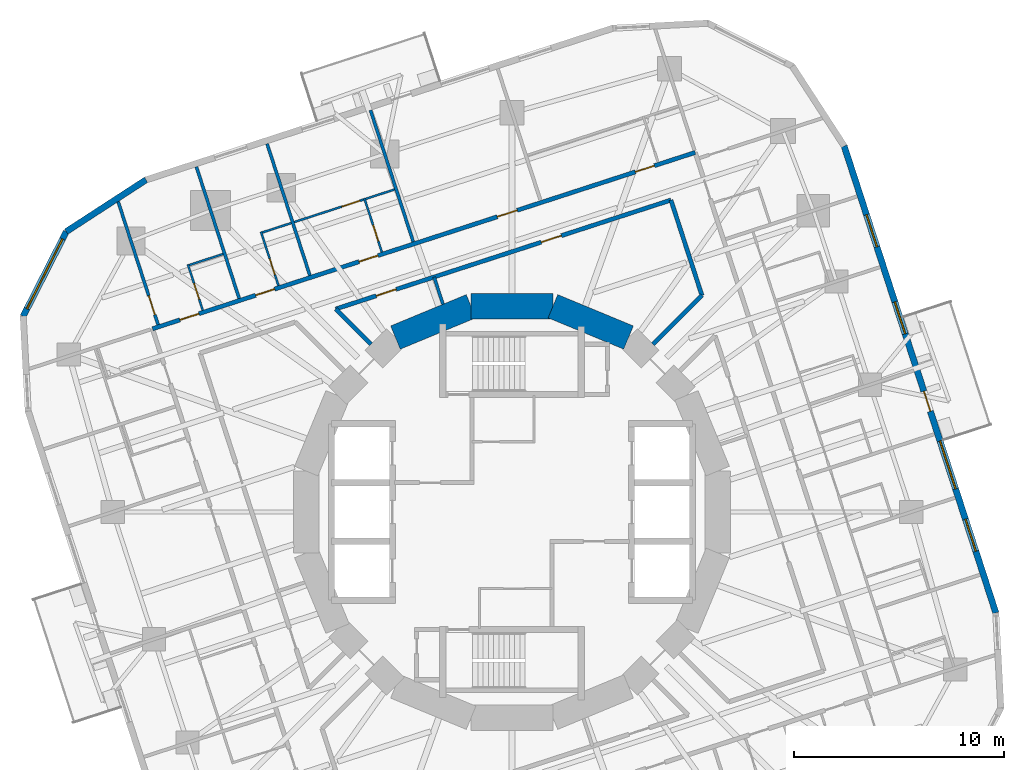
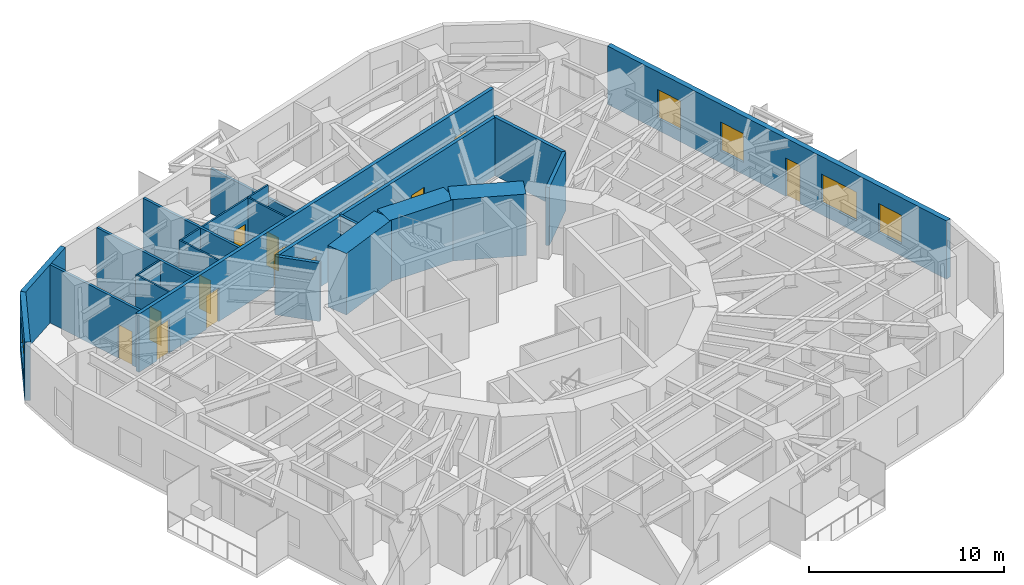
# One storey, part 9 of 12: 23 walls, 13 doors, 5 windows, 18 openings.
"""IFC4 building model written with IfcOpenShell, lengths in metres."""

import ifcopenshell
import ifcopenshell.guid

model = None  # the IFC model being written
_history = None  # IfcOwnerHistory: only IFC2X3 demands one
_inside = {}  # id of a spatial element -> (the spatial element, [elements in it])
_under = {}  # id of a project, library or spatial element -> (it, [spatial elements below it])
_declared = {}  # id of a project -> (the project, [libraries it declares])
_typed = {}  # id of a type object -> (the type object, [elements of that type])
_made_of = {}  # id of a material, layer set ... -> (it, [elements and type objects made of it])


def new_model(schema):
    """Start an empty IFC model of exactly this schema.

    Asked for "IFC4X3", IfcOpenShell would pick the latest addendum, in which some entities
    have other attributes; the version numbers below select the first issue.
    IFC2X3 requires an IfcOwnerHistory on every rooted entity: one is made here for all.
    """
    global model, _history
    if schema == "IFC4X3":
        model = ifcopenshell.file(schema_version=(4, 3, 0, 0))
    else:
        model = ifcopenshell.file(schema=schema)
    _inside.clear()
    _under.clear()
    _declared.clear()
    _typed.clear()
    _made_of.clear()
    _history = None
    if model.schema == "IFC2X3":
        org = make("IfcOrganization", Name="unknown")
        user = make(
            "IfcPersonAndOrganization",
            ThePerson=make("IfcPerson", FamilyName="unknown"),
            TheOrganization=org,
        )
        app = make(
            "IfcApplication",
            ApplicationDeveloper=org,
            Version="unknown",
            ApplicationFullName="unknown",
            ApplicationIdentifier="unknown",
        )
        _history = make(
            "IfcOwnerHistory",
            OwningUser=user,
            OwningApplication=app,
            ChangeAction="ADDED",
            CreationDate=0,
        )
    return model


def make(cls, **values):
    """One entity of the class cls with the attributes given. An attribute that is None is left unset."""
    return model.create_entity(
        cls, **{name: value for name, value in values.items() if value is not None}
    )


def rooted(cls, **values):
    """An entity with a GlobalId (a new one), such as an element, a storey or a relation."""
    return make(cls, GlobalId=ifcopenshell.guid.new(), OwnerHistory=_history, **values)


def si_unit(unit_type, name, prefix=None):
    """IfcSIUnit, for example si_unit("LENGTHUNIT", "METRE", prefix="MILLI")."""
    return make("IfcSIUnit", UnitType=unit_type, Prefix=prefix, Name=name)


def assignment(units):
    """IfcUnitAssignment: the units of a project."""
    return None if units is None else make("IfcUnitAssignment", Units=units)


def point(xyz):
    """IfcCartesianPoint."""
    return None if xyz is None else make("IfcCartesianPoint", Coordinates=xyz)


def direction(xyz):
    """IfcDirection."""
    return None if xyz is None else make("IfcDirection", DirectionRatios=xyz)


def frame(location, z_axis=None, x_axis=None):
    """IfcAxis2Placement3D, a coordinate frame: its origin and axes. An axis left out is left unset."""
    return make(
        "IfcAxis2Placement3D",
        Location=point(location),
        Axis=direction(z_axis),
        RefDirection=direction(x_axis),
    )


def frame_2d(location, x_axis=None):
    """IfcAxis2Placement2D, a coordinate frame in the plane: its origin and x axis."""
    return make(
        "IfcAxis2Placement2D", Location=point(location), RefDirection=direction(x_axis)
    )


def origin():
    """The frame at (0, 0, 0) with its axes left unset."""
    return frame((0.0, 0.0, 0.0))


def place(relative_to, where):
    """IfcLocalPlacement: puts the frame where relative to a parent placement (None: the world)."""
    return make(
        "IfcLocalPlacement", PlacementRelTo=relative_to, RelativePlacement=where
    )


def context(
    kind, dimensions, precision=None, world=None, true_north=None, identifier=None
):
    """IfcGeometricRepresentationContext, for example the 3D "Model" context."""
    return make(
        "IfcGeometricRepresentationContext",
        ContextIdentifier=identifier,
        ContextType=kind,
        CoordinateSpaceDimension=dimensions,
        Precision=precision,
        WorldCoordinateSystem=world,
        TrueNorth=true_north,
    )


def subcontext(parent, identifier, kind, view, scale=None):
    """IfcGeometricRepresentationSubContext, for example "Body" below "Model"."""
    return make(
        "IfcGeometricRepresentationSubContext",
        ContextIdentifier=identifier,
        ContextType=kind,
        ParentContext=parent,
        TargetScale=scale,
        TargetView=view,
    )


def project(units=None, contexts=None):
    """IfcProject with its units and contexts."""
    return rooted(
        "IfcProject",
        Name="project",
        RepresentationContexts=contexts,
        UnitsInContext=assignment(units),
    )


def spatial(cls, under=None, at=None, **own):
    """A site, building, storey or space (cls), placed at a placement, below another one or the project."""
    s = rooted(cls, ObjectPlacement=at, **own)
    if under is not None:
        _under.setdefault(under.id(), (under, []))[1].append(s)
    return s


def profile(cls, at=None, kind="AREA", **sizes):
    """A parametric profile (cls). Its sizes go by their IFC names, for example OverallWidth=200.0."""
    return make(cls, ProfileType=kind, Position=at, **sizes)


def rectangle(**sizes):
    """IfcRectangleProfileDef."""
    return profile("IfcRectangleProfileDef", **sizes)


def extrude(swept, where, along, depth):
    """IfcExtrudedAreaSolid: the profile swept, set in the frame where, extruded along a direction by depth."""
    return make(
        "IfcExtrudedAreaSolid",
        SweptArea=swept,
        Position=where,
        ExtrudedDirection=direction(along),
        Depth=depth,
    )


def shape(context_of_items, identifier, shape_type, items):
    """IfcShapeRepresentation: the items that make up one representation, for example the "Body"."""
    return make(
        "IfcShapeRepresentation",
        ContextOfItems=context_of_items,
        RepresentationIdentifier=identifier,
        RepresentationType=shape_type,
        Items=items,
    )


def material(Name=None, Category=None):
    """IfcMaterial."""
    return make("IfcMaterial", Name=Name, Category=Category)


def layer(
    of_material, thickness, ventilated=None, Name=None, Category=None, Priority=None
):
    """IfcMaterialLayer: one layer of a wall or slab, of a material (None: an air gap)."""
    return make(
        "IfcMaterialLayer",
        Material=of_material,
        LayerThickness=thickness,
        IsVentilated=ventilated,
        Name=Name,
        Category=Category,
        Priority=Priority,
    )


def layer_set(layers, Name=None):
    """IfcMaterialLayerSet."""
    return make("IfcMaterialLayerSet", MaterialLayers=layers, LayerSetName=Name)


def made_of(thing, what):
    """Note that an element or type object is made of a material, layer set ...; save() writes the relation."""
    if what is not None:
        _made_of.setdefault(what.id(), (what, []))[1].append(thing)
    return thing


def type_object(cls, material=None, **own):
    """A type object (cls), such as IfcWallType, which elements share."""
    return made_of(rooted(cls, **own), material)


def element(
    cls,
    number,
    at=None,
    inside=None,
    cuts=None,
    type_object=None,
    material=None,
    context=None,
    identifier="Body",
    shape_type=None,
    held_by="IfcProductDefinitionShape",
    body=None,
    shapes=None,
    **own,
):
    """One element of the class cls, such as IfcWall. Its Tag is "e" and its number.

    at: its placement. inside: the storey or other place that contains it. cuts: it is an
    opening in that element (IfcRelVoidsElement). A single representation is given by context,
    identifier, shape_type and body (its items); several are given by shapes. held_by: the class
    of the entity that holds the representations. save() writes the other relations.
    """
    e = rooted(cls, Tag="e%d" % number, ObjectPlacement=at, **own)
    if body is not None:
        shapes = [shape(context, identifier, shape_type, body)]
    if shapes is not None:
        e.Representation = make(held_by, Representations=shapes)
    if inside is not None:
        _inside.setdefault(inside.id(), (inside, []))[1].append(e)
    if cuts is not None:
        rooted(
            "IfcRelVoidsElement", RelatingBuildingElement=cuts, RelatedOpeningElement=e
        )
    if type_object is not None:
        _typed.setdefault(type_object.id(), (type_object, []))[1].append(e)
    return made_of(e, material)


def fill(opening, filler):
    """IfcRelFillsElement: the door or window that sits in an opening."""
    return rooted(
        "IfcRelFillsElement",
        RelatingOpeningElement=opening,
        RelatedBuildingElement=filler,
    )


def aggregate(whole, parts):
    """IfcRelAggregates: a whole, such as a stair, and the parts it consists of."""
    return rooted("IfcRelAggregates", RelatingObject=whole, RelatedObjects=parts)


def save(model, path):
    """Write the relations noted so far, then the file.

    IfcRelAggregates (storeys below a building ...), IfcRelContainedInSpatialStructure (elements
    in a storey), IfcRelDefinesByType, IfcRelAssociatesMaterial and IfcRelDeclares: one each for
    every whole, place, type object, material and project.
    """
    for whole, parts in _under.values():
        aggregate(whole, parts)
    for where, things in _inside.values():
        rooted(
            "IfcRelContainedInSpatialStructure",
            RelatedElements=things,
            RelatingStructure=where,
        )
    for kind, things in _typed.values():
        rooted("IfcRelDefinesByType", RelatedObjects=things, RelatingType=kind)
    for what, things in _made_of.values():
        rooted("IfcRelAssociatesMaterial", RelatedObjects=things, RelatingMaterial=what)
    for by, libraries in _declared.values():
        rooted("IfcRelDeclares", RelatingContext=by, RelatedDefinitions=libraries)
    model.write(path)


model = new_model("IFC4")

# Units and contexts
model_context = context("Model", 3, precision=1e-05, world=origin(), true_north=direction((0.0, 1.0)))
body_context = subcontext(model_context, "Body", "Model", "MODEL_VIEW")
ifc_project = project(units=[si_unit("LENGTHUNIT", "METRE"), si_unit("AREAUNIT", "SQUARE_METRE"), si_unit("VOLUMEUNIT", "CUBIC_METRE"), si_unit("PLANEANGLEUNIT", "RADIAN"), si_unit("MASSUNIT", "GRAM", prefix="KILO")], contexts=[model_context])

# Site, building, storey
site_placement = place(None, origin())
site = spatial("IfcSite", under=ifc_project, at=site_placement, CompositionType="ELEMENT")
building_placement = place(site_placement, origin())
building = spatial("IfcBuilding", under=site, at=building_placement, Name="Nakasero Lantern House", CompositionType="ELEMENT")
storey_placement = place(building_placement, frame((0.0, 0.0, 153.35009765625)))
storey = spatial("IfcBuildingStorey", under=building, at=storey_placement, Name="L37", CompositionType="ELEMENT", Elevation=153.35009765625)

# Walls
ifc_material_1 = material(Name="Concrete C50/60", Category="concrete")
ifc_layer_1 = layer(ifc_material_1, 1.199951171875)
ifc_layer_set_1 = layer_set([ifc_layer_1], Name="Core wall 1200")
wall_type_1 = type_object("IfcWallType", Name="Core wall 1200", PredefinedType="SHEAR", material=ifc_layer_set_1)
for number, where, z_axis, x_axis, name in (
    (1, (5.5556640625, 8.314697265625, 0.0), (0.0, 0.0, 1.0), (-0.923876507187, 0.382690736062, 0.0), "Core wall L37 facet 3"),
    (2, (1.950927734375, 9.807861328125, 0.0), (0.0, 0.0, 1.0), (-1.0, 0.0, 0.0), "Core wall L37 facet 4"),
    (3, (-1.950927734375, 9.807861328125, 0.0), (0.0, 0.0, 1.0), (-0.923876507187, -0.382690736062, 0.0), "Core wall L37 facet 5"),
):
    element("IfcWall", number, at=place(storey_placement, frame(where, z_axis=z_axis, x_axis=x_axis)), inside=storey, type_object=wall_type_1, Name=name, PredefinedType="SHEAR", context=body_context, shape_type="SweptSolid", body=[
        extrude(rectangle(XDim=3.90185546875, YDim=1.199951171875, at=frame_2d((1.950927734375, 0.0))), origin(), (0.0, 0.0, 1.0), 3.849853515625),
    ])

# Wall, openings, doors
ifc_material_2 = material(Name="Blockwork", Category="masonry")
ifc_layer_2 = layer(ifc_material_2, 0.199951171875)
ifc_layer_set_2 = layer_set([ifc_layer_2], Name="Corridor wall 200")
wall_type_2 = type_object("IfcWallType", Name="Corridor wall 200", PredefinedType="PARTITIONING", material=ifc_layer_set_2)
wall_1_placement = place(storey_placement, frame((8.731689453125, 17.136962890625, 0.0), z_axis=(0.0, 0.0, 1.0), x_axis=(-0.951056097323, -0.309018283835, 0.0)))
wall_1 = element("IfcWall", 4, at=wall_1_placement, inside=storey, type_object=wall_type_2, Name="Corridor wall L37 CW1", PredefinedType="PARTITIONING", context=body_context, shape_type="SweptSolid", body=[
    extrude(rectangle(XDim=27.199951171875, YDim=0.199951171875, at=frame_2d((13.60009765625, 0.0))), origin(), (0.0, 0.0, 1.0), 3.64990234375),
])
opening_1_placement = place(wall_1_placement, frame((2.050048828125, 0.0, 0.0)))
opening_1 = element("IfcOpeningElement", 5, at=opening_1_placement, cuts=wall_1, Name="Opening D01", PredefinedType="OPENING", context=body_context, shape_type="SweptSolid", body=[
    extrude(rectangle(XDim=0.949951171875, YDim=2.10009765625, at=frame_2d((0.47509765625, 1.050048828125))), frame((0.0, 0.119873046875, 0.0), z_axis=(0.0, -1.0, 0.0), x_axis=(1.0, 0.0, 0.0)), (0.0, 0.0, 1.0), 0.239990234375),
])
opening_2_placement = place(wall_1_placement, frame((15.89697265625, 0.0, 0.0)))
opening_2 = element("IfcOpeningElement", 6, at=opening_2_placement, cuts=wall_1, Name="Opening D01", PredefinedType="OPENING", context=body_context, shape_type="SweptSolid", body=[
    extrude(rectangle(XDim=0.949951171875, YDim=2.10009765625, at=frame_2d((0.47509765625, 1.050048828125))), frame((0.0, 0.119873046875, 0.0), z_axis=(0.0, -1.0, 0.0), x_axis=(1.0, 0.0, 0.0)), (0.0, 0.0, 1.0), 0.239990234375),
])
opening_3_placement = place(wall_1_placement, frame((21.078125, 0.0, 0.0)))
opening_3 = element("IfcOpeningElement", 7, at=opening_3_placement, cuts=wall_1, Name="Opening D01", PredefinedType="OPENING", context=body_context, shape_type="SweptSolid", body=[
    extrude(rectangle(XDim=0.949951171875, YDim=2.10009765625, at=frame_2d((0.47509765625, 1.050048828125))), frame((0.0, 0.119873046875, 0.0), z_axis=(0.0, -1.0, 0.0), x_axis=(1.0, 0.0, 0.0)), (0.0, 0.0, 1.0), 0.239990234375),
])
opening_4_placement = place(wall_1_placement, frame((24.872314453125, 0.0, 0.0)))
opening_4 = element("IfcOpeningElement", 8, at=opening_4_placement, cuts=wall_1, Name="Opening D01", PredefinedType="OPENING", context=body_context, shape_type="SweptSolid", body=[
    extrude(rectangle(XDim=0.949951171875, YDim=2.10009765625, at=frame_2d((0.47509765625, 1.050048828125))), frame((0.0, 0.119873046875, 0.0), z_axis=(0.0, -1.0, 0.0), x_axis=(1.0, 0.0, 0.0)), (0.0, 0.0, 1.0), 0.239990234375),
])
opening_5_placement = place(wall_1_placement, frame((8.9189453125, 0.0, 0.0)))
opening_5 = element("IfcOpeningElement", 9, at=opening_5_placement, cuts=wall_1, Name="Opening D03", PredefinedType="OPENING", context=body_context, shape_type="SweptSolid", body=[
    extrude(rectangle(XDim=1.0, YDim=2.10009765625, at=frame_2d((0.5, 1.050048828125))), frame((0.0, 0.119873046875, 0.0), z_axis=(0.0, -1.0, 0.0), x_axis=(1.0, 0.0, 0.0)), (0.0, 0.0, 1.0), 0.239990234375),
])
ifc_material_3 = material(Name="Timber C24", Category="wood")
door_type_1 = type_object("IfcDoorType", Name="Bedroom door FD30S 950", OperationType="SINGLE_SWING_LEFT", PredefinedType="DOOR", material=ifc_material_3)
door_1_placement = place(opening_1_placement, origin())
door_1 = element("IfcDoor", 10, at=door_1_placement, inside=storey, type_object=door_type_1, Name="Door L37 D1-00", OperationType="SINGLE_SWING_LEFT", OverallHeight=2.10009765625, OverallWidth=0.949951171875, PredefinedType="DOOR", context=body_context, shape_type="SweptSolid", body=[
    extrude(rectangle(XDim=0.949951171875, YDim=2.10009765625, at=frame_2d((0.47509765625, 1.050048828125))), frame((0.0, 0.02490234375, 0.0), z_axis=(0.0, -1.0, 0.0), x_axis=(1.0, 0.0, 0.0)), (0.0, 0.0, 1.0), 0.050048828125),
])
fill(opening_1, door_1)
door_2_placement = place(opening_2_placement, origin())
door_2 = element("IfcDoor", 11, at=door_2_placement, inside=storey, type_object=door_type_1, Name="Door L37 D1-04", OperationType="SINGLE_SWING_RIGHT", OverallHeight=2.10009765625, OverallWidth=0.949951171875, PredefinedType="DOOR", context=body_context, shape_type="SweptSolid", body=[
    extrude(rectangle(XDim=0.949951171875, YDim=2.10009765625, at=frame_2d((0.47509765625, 1.050048828125))), frame((0.0, 0.02490234375, 0.0), z_axis=(0.0, -1.0, 0.0), x_axis=(1.0, 0.0, 0.0)), (0.0, 0.0, 1.0), 0.050048828125),
])
fill(opening_2, door_2)
door_3_placement = place(opening_3_placement, origin())
door_3 = element("IfcDoor", 12, at=door_3_placement, inside=storey, type_object=door_type_1, Name="Door L37 D1-05", OperationType="SINGLE_SWING_RIGHT", OverallHeight=2.10009765625, OverallWidth=0.949951171875, PredefinedType="DOOR", context=body_context, shape_type="SweptSolid", body=[
    extrude(rectangle(XDim=0.949951171875, YDim=2.10009765625, at=frame_2d((0.47509765625, 1.050048828125))), frame((0.0, 0.02490234375, 0.0), z_axis=(0.0, -1.0, 0.0), x_axis=(1.0, 0.0, 0.0)), (0.0, 0.0, 1.0), 0.050048828125),
])
fill(opening_3, door_3)
door_4_placement = place(opening_4_placement, origin())
door_4 = element("IfcDoor", 13, at=door_4_placement, inside=storey, type_object=door_type_1, Name="Door L37 D1-06", OperationType="SINGLE_SWING_RIGHT", OverallHeight=2.10009765625, OverallWidth=0.949951171875, PredefinedType="DOOR", context=body_context, shape_type="SweptSolid", body=[
    extrude(rectangle(XDim=0.949951171875, YDim=2.10009765625, at=frame_2d((0.47509765625, 1.050048828125))), frame((0.0, 0.02490234375, 0.0), z_axis=(0.0, -1.0, 0.0), x_axis=(1.0, 0.0, 0.0)), (0.0, 0.0, 1.0), 0.050048828125),
])
fill(opening_4, door_4)
ifc_material_4 = material(Name="Timber C24", Category="wood")
door_type_2 = type_object("IfcDoorType", Name="Lounge door FD30S 1000", OperationType="SINGLE_SWING_LEFT", PredefinedType="DOOR", material=ifc_material_4)
door_5_placement = place(opening_5_placement, origin())
door_5 = element("IfcDoor", 14, at=door_5_placement, inside=storey, type_object=door_type_2, Name="Door L37 DK1", OperationType="SINGLE_SWING_LEFT", OverallHeight=2.10009765625, OverallWidth=1.0, PredefinedType="DOOR", context=body_context, shape_type="SweptSolid", body=[
    extrude(rectangle(XDim=1.0, YDim=2.10009765625, at=frame_2d((0.5, 1.050048828125))), frame((0.0, 0.02490234375, 0.0), z_axis=(0.0, -1.0, 0.0), x_axis=(1.0, 0.0, 0.0)), (0.0, 0.0, 1.0), 0.050048828125),
])
fill(opening_5, door_5)

# Wall
wall_2_placement = place(storey_placement, frame((9.052490234375, 10.3251953125, 0.0), z_axis=(0.0, 0.0, 1.0), x_axis=(-0.309013275037, 0.951057724773, 0.0)))
element("IfcWall", 15, at=wall_2_placement, inside=storey, type_object=wall_type_2, Name="Corridor wall L37 IW0-1", PredefinedType="PARTITIONING", context=body_context, shape_type="SweptSolid", body=[
    extrude(rectangle(XDim=4.777587890625, YDim=0.199951171875, at=frame_2d((2.388671875, 0.0))), origin(), (0.0, 0.0, 1.0), 3.64990234375),
])

# Wall, openings, doors
wall_3_placement = place(storey_placement, frame((7.576171875, 14.868896484375, 0.0), z_axis=(0.0, 0.0, 1.0), x_axis=(-0.951057770893, -0.309013133095, 0.0)))
wall_3 = element("IfcWall", 16, at=wall_3_placement, inside=storey, type_object=wall_type_2, Name="Corridor wall L37 IW1-0", PredefinedType="PARTITIONING", context=body_context, shape_type="SweptSolid", body=[
    extrude(rectangle(XDim=16.80224609375, YDim=0.199951171875, at=frame_2d((8.401123046875, 0.0))), origin(), (0.0, 0.0, 1.0), 3.64990234375),
])
opening_6_placement = place(wall_3_placement, frame((5.49755859375, 0.0, 0.0)))
opening_6 = element("IfcOpeningElement", 17, at=opening_6_placement, cuts=wall_3, Name="Opening D07", PredefinedType="OPENING", context=body_context, shape_type="SweptSolid", body=[
    extrude(rectangle(XDim=1.0, YDim=2.10009765625, at=frame_2d((0.5, 1.050048828125))), frame((0.0, 0.119873046875, 0.0), z_axis=(0.0, -1.0, 0.0), x_axis=(1.0, 0.0, 0.0)), (0.0, 0.0, 1.0), 0.239990234375),
])
opening_7_placement = place(wall_3_placement, frame((13.773681640625, 0.0, 0.0)))
opening_7 = element("IfcOpeningElement", 18, at=opening_7_placement, cuts=wall_3, Name="Opening D07", PredefinedType="OPENING", context=body_context, shape_type="SweptSolid", body=[
    extrude(rectangle(XDim=1.0, YDim=2.10009765625, at=frame_2d((0.5, 1.050048828125))), frame((0.0, 0.119873046875, 0.0), z_axis=(0.0, -1.0, 0.0), x_axis=(1.0, 0.0, 0.0)), (0.0, 0.0, 1.0), 0.239990234375),
])
ifc_material_5 = material(Name="Timber C24", Category="wood")
door_type_3 = type_object("IfcDoorType", Name="Room door FD30S 1000", OperationType="SINGLE_SWING_LEFT", PredefinedType="DOOR", material=ifc_material_5)
door_6_placement = place(opening_6_placement, origin())
door_6 = element("IfcDoor", 19, at=door_6_placement, inside=storey, type_object=door_type_3, Name="Door L37 DI6", OperationType="SINGLE_SWING_LEFT", OverallHeight=2.10009765625, OverallWidth=1.0, PredefinedType="DOOR", context=body_context, shape_type="SweptSolid", body=[
    extrude(rectangle(XDim=1.0, YDim=2.10009765625, at=frame_2d((0.5, 1.050048828125))), frame((0.0, 0.02490234375, 0.0), z_axis=(0.0, -1.0, 0.0), x_axis=(1.0, 0.0, 0.0)), (0.0, 0.0, 1.0), 0.050048828125),
])
fill(opening_6, door_6)
door_7_placement = place(opening_7_placement, origin())
door_7 = element("IfcDoor", 20, at=door_7_placement, inside=storey, type_object=door_type_3, Name="Door L37 DI7", OperationType="SINGLE_SWING_RIGHT", OverallHeight=2.10009765625, OverallWidth=1.0, PredefinedType="DOOR", context=body_context, shape_type="SweptSolid", body=[
    extrude(rectangle(XDim=1.0, YDim=2.10009765625, at=frame_2d((0.5, 1.050048828125))), frame((0.0, 0.02490234375, 0.0), z_axis=(0.0, -1.0, 0.0), x_axis=(1.0, 0.0, 0.0)), (0.0, 0.0, 1.0), 0.050048828125),
])
fill(opening_7, door_7)

# Walls
wall_4_placement = place(storey_placement, frame((6.72314453125, 7.995849609375, 0.0), z_axis=(0.0, 0.0, 1.0), x_axis=(0.707106781187, 0.707106781187, 0.0)))
element("IfcWall", 21, at=wall_4_placement, inside=storey, type_object=wall_type_2, Name="Corridor wall L37 PS02a", PredefinedType="PARTITIONING", context=body_context, shape_type="SweptSolid", body=[
    extrude(rectangle(XDim=3.294189453125, YDim=0.199951171875, at=frame_2d((1.64697265625, 0.0))), origin(), (0.0, 0.0, 1.0), 3.64990234375),
])
wall_5_placement = place(storey_placement, frame((-6.72314453125, 7.995849609375, 0.0), z_axis=(0.0, 0.0, 1.0), x_axis=(-0.707055424337, 0.707158134306, 0.0)))
element("IfcWall", 22, at=wall_5_placement, inside=storey, type_object=wall_type_2, Name="Corridor wall L37 PS06b", PredefinedType="PARTITIONING", context=body_context, shape_type="SweptSolid", body=[
    extrude(rectangle(XDim=2.376953125, YDim=0.199951171875, at=frame_2d((1.1884765625, 0.0))), origin(), (0.0, 0.0, 1.0), 3.64990234375),
])

# Wall, opening, door
ifc_material_6 = material(Name="Blockwork", Category="masonry")
ifc_layer_3 = layer(ifc_material_6, 0.10009765625)
ifc_layer_set_3 = layer_set([ifc_layer_3], Name="En-suite wall 100")
wall_type_3 = type_object("IfcWallType", Name="En-suite wall 100", PredefinedType="PARTITIONING", material=ifc_layer_set_3)
wall_6_placement = place(storey_placement, frame((-6.2041015625, 12.38916015625, 0.0), z_axis=(0.0, 0.0, 1.0), x_axis=(-0.309057448393, 0.951043371037, 0.0)))
wall_6 = element("IfcWall", 23, at=wall_6_placement, inside=storey, type_object=wall_type_3, Name="En-suite wall L37 ES1-04", PredefinedType="PARTITIONING", context=body_context, shape_type="SweptSolid", body=[
    extrude(rectangle(XDim=2.699951171875, YDim=0.10009765625, at=frame_2d((1.35009765625, 0.0))), origin(), (0.0, 0.0, 1.0), 3.64990234375),
])
opening_8_placement = place(wall_6_placement, frame((0.550048828125, 0.0, 0.0)))
opening_8 = element("IfcOpeningElement", 24, at=opening_8_placement, cuts=wall_6, Name="Opening D02", PredefinedType="OPENING", context=body_context, shape_type="SweptSolid", body=[
    extrude(rectangle(XDim=0.800048828125, YDim=2.10009765625, at=frame_2d((0.39990234375, 1.050048828125))), frame((0.0, 0.070068359375, 0.0), z_axis=(0.0, -1.0, 0.0), x_axis=(1.0, 0.0, 0.0)), (0.0, 0.0, 1.0), 0.14013671875),
])
ifc_material_7 = material(Name="Timber C24", Category="wood")
door_type_4 = type_object("IfcDoorType", Name="En-suite door 800", OperationType="SINGLE_SWING_RIGHT", PredefinedType="DOOR", material=ifc_material_7)
door_8_placement = place(opening_8_placement, origin())
door_8 = element("IfcDoor", 25, at=door_8_placement, inside=storey, type_object=door_type_4, Name="Door L37 DE1-04", OperationType="SINGLE_SWING_LEFT", OverallHeight=2.10009765625, OverallWidth=0.800048828125, PredefinedType="DOOR", context=body_context, shape_type="SweptSolid", body=[
    extrude(rectangle(XDim=0.800048828125, YDim=2.10009765625, at=frame_2d((0.39990234375, 1.050048828125))), frame((0.0, 0.02490234375, 0.0), z_axis=(0.0, -1.0, 0.0), x_axis=(1.0, 0.0, 0.0)), (0.0, 0.0, 1.0), 0.050048828125),
])
fill(opening_8, door_8)

# Wall
wall_7_placement = place(storey_placement, frame((-5.596435546875, 15.373046875, 0.0), z_axis=(0.0, 0.0, 1.0), x_axis=(-0.951030357076, -0.309097492581, 0.0)))
element("IfcWall", 26, at=wall_7_placement, inside=storey, type_object=wall_type_3, Name="En-suite wall L37 EE1-04", PredefinedType="PARTITIONING", context=body_context, shape_type="SweptSolid", body=[
    extrude(rectangle(XDim=1.4501953125, YDim=0.10009765625, at=frame_2d((0.72509765625, 0.0))), origin(), (0.0, 0.0, 1.0), 3.64990234375),
])

# Wall, opening, door
wall_8_placement = place(storey_placement, frame((-11.131591796875, 10.7880859375, 0.0), z_axis=(0.0, 0.0, 1.0), x_axis=(-0.309057448393, 0.951043371037, 0.0)))
wall_8 = element("IfcWall", 27, at=wall_8_placement, inside=storey, type_object=wall_type_3, Name="En-suite wall L37 ES1-05", PredefinedType="PARTITIONING", context=body_context, shape_type="SweptSolid", body=[
    extrude(rectangle(XDim=2.699951171875, YDim=0.10009765625, at=frame_2d((1.35009765625, 0.0))), origin(), (0.0, 0.0, 1.0), 3.64990234375),
])
opening_9_placement = place(wall_8_placement, frame((0.550048828125, 0.0, 0.0)))
opening_9 = element("IfcOpeningElement", 28, at=opening_9_placement, cuts=wall_8, Name="Opening D02", PredefinedType="OPENING", context=body_context, shape_type="SweptSolid", body=[
    extrude(rectangle(XDim=0.800048828125, YDim=2.10009765625, at=frame_2d((0.39990234375, 1.050048828125))), frame((0.0, 0.070068359375, 0.0), z_axis=(0.0, -1.0, 0.0), x_axis=(1.0, 0.0, 0.0)), (0.0, 0.0, 1.0), 0.14013671875),
])
door_9_placement = place(opening_9_placement, origin())
door_9 = element("IfcDoor", 29, at=door_9_placement, inside=storey, type_object=door_type_4, Name="Door L37 DE1-05", OperationType="SINGLE_SWING_LEFT", OverallHeight=2.10009765625, OverallWidth=0.800048828125, PredefinedType="DOOR", context=body_context, shape_type="SweptSolid", body=[
    extrude(rectangle(XDim=0.800048828125, YDim=2.10009765625, at=frame_2d((0.39990234375, 1.050048828125))), frame((0.0, 0.02490234375, 0.0), z_axis=(0.0, -1.0, 0.0), x_axis=(1.0, 0.0, 0.0)), (0.0, 0.0, 1.0), 0.050048828125),
])
fill(opening_9, door_9)

# Wall
wall_9_placement = place(storey_placement, frame((-10.52392578125, 13.77197265625, 0.0), z_axis=(0.0, 0.0, 1.0), x_axis=(-0.951079836914, -0.308945211672, 0.0)))
element("IfcWall", 30, at=wall_9_placement, inside=storey, type_object=wall_type_3, Name="En-suite wall L37 EE1-05", PredefinedType="PARTITIONING", context=body_context, shape_type="SweptSolid", body=[
    extrude(rectangle(XDim=1.4501953125, YDim=0.10009765625, at=frame_2d((0.72509765625, 0.0))), origin(), (0.0, 0.0, 1.0), 3.64990234375),
])

# Wall, opening, door
wall_10_placement = place(storey_placement, frame((-14.740234375, 9.61572265625, 0.0), z_axis=(0.0, 0.0, 1.0), x_axis=(-0.309021261611, 0.951055129775, 0.0)))
wall_10 = element("IfcWall", 31, at=wall_10_placement, inside=storey, type_object=wall_type_3, Name="En-suite wall L37 ES1-06", PredefinedType="PARTITIONING", context=body_context, shape_type="SweptSolid", body=[
    extrude(rectangle(XDim=2.2998046875, YDim=0.10009765625, at=frame_2d((1.14990234375, 0.0))), origin(), (0.0, 0.0, 1.0), 3.64990234375),
])
opening_10_placement = place(wall_10_placement, frame((0.550048828125, 0.0, 0.0)))
opening_10 = element("IfcOpeningElement", 32, at=opening_10_placement, cuts=wall_10, Name="Opening D02", PredefinedType="OPENING", context=body_context, shape_type="SweptSolid", body=[
    extrude(rectangle(XDim=0.800048828125, YDim=2.10009765625, at=frame_2d((0.39990234375, 1.050048828125))), frame((0.0, 0.070068359375, 0.0), z_axis=(0.0, -1.0, 0.0), x_axis=(1.0, 0.0, 0.0)), (0.0, 0.0, 1.0), 0.14013671875),
])
door_10_placement = place(opening_10_placement, origin())
door_10 = element("IfcDoor", 33, at=door_10_placement, inside=storey, type_object=door_type_4, Name="Door L37 DE1-06", OperationType="SINGLE_SWING_LEFT", OverallHeight=2.10009765625, OverallWidth=0.800048828125, PredefinedType="DOOR", context=body_context, shape_type="SweptSolid", body=[
    extrude(rectangle(XDim=0.800048828125, YDim=2.10009765625, at=frame_2d((0.39990234375, 1.050048828125))), frame((0.0, 0.02490234375, 0.0), z_axis=(0.0, -1.0, 0.0), x_axis=(1.0, 0.0, 0.0)), (0.0, 0.0, 1.0), 0.050048828125),
])
fill(opening_10, door_10)

# Wall
wall_11_placement = place(storey_placement, frame((-13.771240234375, 12.29638671875, 0.0), z_axis=(0.0, 0.0, 1.0), x_axis=(-0.951040401051, -0.309066587596, 0.0)))
element("IfcWall", 34, at=wall_11_placement, inside=storey, type_object=wall_type_3, Name="En-suite wall L37 EE1-06", PredefinedType="PARTITIONING", context=body_context, shape_type="SweptSolid", body=[
    extrude(rectangle(XDim=1.699951171875, YDim=0.10009765625, at=frame_2d((0.85009765625, 0.0))), origin(), (0.0, 0.0, 1.0), 3.64990234375),
])

# Wall, opening, door
wall_12_placement = place(storey_placement, frame((-7.070556640625, 14.89404296875, 0.0), z_axis=(0.0, 0.0, 1.0), x_axis=(-0.951061380458, -0.309002023619, 0.0)))
wall_12 = element("IfcWall", 35, at=wall_12_placement, inside=storey, type_object=wall_type_3, Name="En-suite wall L37 EL1-04", PredefinedType="PARTITIONING", context=body_context, shape_type="SweptSolid", body=[
    extrude(rectangle(XDim=3.481201171875, YDim=0.10009765625, at=frame_2d((1.74072265625, 0.0))), origin(), (0.0, 0.0, 1.0), 3.64990234375),
])
opening_11_placement = place(wall_12_placement, frame((0.199951171875, 0.0, 0.0)))
opening_11 = element("IfcOpeningElement", 36, at=opening_11_placement, cuts=wall_12, Name="Opening D17", PredefinedType="OPENING", context=body_context, shape_type="SweptSolid", body=[
    extrude(rectangle(XDim=0.89990234375, YDim=2.10009765625, at=frame_2d((0.449951171875, 1.050048828125))), frame((0.0, 0.070068359375, 0.0), z_axis=(0.0, -1.0, 0.0), x_axis=(1.0, 0.0, 0.0)), (0.0, 0.0, 1.0), 0.14013671875),
])
ifc_material_8 = material(Name="Timber C24", Category="wood")
door_type_5 = type_object("IfcDoorType", Name="Bedroom door FD30S 900", OperationType="SINGLE_SWING_LEFT", PredefinedType="DOOR", material=ifc_material_8)
door_11_placement = place(opening_11_placement, origin())
door_11 = element("IfcDoor", 37, at=door_11_placement, inside=storey, type_object=door_type_5, Name="Door L37 DL1-04", OperationType="SINGLE_SWING_LEFT", OverallHeight=2.10009765625, OverallWidth=0.89990234375, PredefinedType="DOOR", context=body_context, shape_type="SweptSolid", body=[
    extrude(rectangle(XDim=0.89990234375, YDim=2.10009765625, at=frame_2d((0.449951171875, 1.050048828125))), frame((0.0, 0.02490234375, 0.0), z_axis=(0.0, -1.0, 0.0), x_axis=(1.0, 0.0, 0.0)), (0.0, 0.0, 1.0), 0.050048828125),
])
fill(opening_11, door_11)

# Wall, openings, door, windows
ifc_material_9 = material(Name="Aluminium rainscreen on blockwork", Category="masonry")
ifc_layer_4 = layer(ifc_material_9, 0.300048828125)
ifc_layer_set_4 = layer_set([ifc_layer_4], Name="Facade wall 300")
wall_type_4 = type_object("IfcWallType", Name="Facade wall 300", PredefinedType="SOLIDWALL", material=ifc_layer_set_4)
wall_13_placement = place(storey_placement, frame((23.064697265625, -4.807861328125, 0.0), z_axis=(0.0, 0.0, 1.0), x_axis=(-0.30902591324, 0.951053618334, 0.0)))
wall_13 = element("IfcWall", 38, at=wall_13_placement, inside=storey, type_object=wall_type_4, Name="Facade wall L37 FW0S", PredefinedType="SOLIDWALL", context=body_context, shape_type="SweptSolid", body=[
    extrude(rectangle(XDim=23.39990234375, YDim=0.300048828125, at=frame_2d((11.699951171875, 0.0))), origin(), (0.0, 0.0, 1.0), 3.64990234375),
])
opening_12_placement = place(wall_13_placement, frame((3.089111328125, 0.0, 0.75)))
opening_12 = element("IfcOpeningElement", 39, at=opening_12_placement, cuts=wall_13, Name="Opening W01", PredefinedType="OPENING", context=body_context, shape_type="SweptSolid", body=[
    extrude(rectangle(XDim=1.60009765625, YDim=1.800048828125, at=frame_2d((0.800048828125, 0.89990234375))), frame((0.0, 0.169921875, 0.0), z_axis=(0.0, -1.0, 0.0), x_axis=(1.0, 0.0, 0.0)), (0.0, 0.0, 1.0), 0.340087890625),
])
opening_13_placement = place(wall_13_placement, frame((13.987548828125, 0.0, 0.75)))
opening_13 = element("IfcOpeningElement", 40, at=opening_13_placement, cuts=wall_13, Name="Opening W01", PredefinedType="OPENING", context=body_context, shape_type="SweptSolid", body=[
    extrude(rectangle(XDim=1.60009765625, YDim=1.800048828125, at=frame_2d((0.800048828125, 0.89990234375))), frame((0.0, 0.169921875, 0.0), z_axis=(0.0, -1.0, 0.0), x_axis=(1.0, 0.0, 0.0)), (0.0, 0.0, 1.0), 0.340087890625),
])
opening_14_placement = place(wall_13_placement, frame((18.350341796875, 0.0, 0.75)))
opening_14 = element("IfcOpeningElement", 41, at=opening_14_placement, cuts=wall_13, Name="Opening W01", PredefinedType="OPENING", context=body_context, shape_type="SweptSolid", body=[
    extrude(rectangle(XDim=1.60009765625, YDim=1.800048828125, at=frame_2d((0.800048828125, 0.89990234375))), frame((0.0, 0.169921875, 0.0), z_axis=(0.0, -1.0, 0.0), x_axis=(1.0, 0.0, 0.0)), (0.0, 0.0, 1.0), 0.340087890625),
])
opening_15_placement = place(wall_13_placement, frame((6.21337890625, 0.0, 0.75)))
opening_15 = element("IfcOpeningElement", 42, at=opening_15_placement, cuts=wall_13, Name="Opening W03", PredefinedType="OPENING", context=body_context, shape_type="SweptSolid", body=[
    extrude(rectangle(XDim=2.39990234375, YDim=1.800048828125, at=frame_2d((1.199951171875, 0.89990234375))), frame((0.0, 0.169921875, 0.0), z_axis=(0.0, -1.0, 0.0), x_axis=(1.0, 0.0, 0.0)), (0.0, 0.0, 1.0), 0.340087890625),
])
opening_16_placement = place(wall_13_placement, frame((10.1025390625, 0.0, 0.0)))
opening_16 = element("IfcOpeningElement", 43, at=opening_16_placement, cuts=wall_13, Name="Opening D04", PredefinedType="OPENING", context=body_context, shape_type="SweptSolid", body=[
    extrude(rectangle(XDim=1.0, YDim=2.39990234375, at=frame_2d((0.5, 1.199951171875))), frame((0.0, 0.169921875, 0.0), z_axis=(0.0, -1.0, 0.0), x_axis=(1.0, 0.0, 0.0)), (0.0, 0.0, 1.0), 0.340087890625),
])
ifc_material_10 = material(Name="Aluminium 6063-T6 and glass", Category="aluminium")
door_type_6 = type_object("IfcDoorType", Name="Balcony door 1000x2400", OperationType="SINGLE_SWING_RIGHT", PredefinedType="DOOR", material=ifc_material_10)
door_12_placement = place(opening_16_placement, origin())
door_12 = element("IfcDoor", 44, at=door_12_placement, inside=storey, type_object=door_type_6, Name="Balcony door L37 DB0", OperationType="SINGLE_SWING_RIGHT", OverallHeight=2.39990234375, OverallWidth=1.0, PredefinedType="DOOR", context=body_context, shape_type="SweptSolid", body=[
    extrude(rectangle(XDim=1.0, YDim=2.39990234375, at=frame_2d((0.5, 1.199951171875))), frame((0.0, 0.02490234375, 0.0), z_axis=(0.0, -1.0, 0.0), x_axis=(1.0, 0.0, 0.0)), (0.0, 0.0, 1.0), 0.050048828125),
])
fill(opening_16, door_12)
ifc_material_11 = material(Name="Aluminium 6063-T6 and glass", Category="aluminium")
window_type_1 = type_object("IfcWindowType", Name="Bedroom window 1600x1800", PartitioningType="SINGLE_PANEL", PredefinedType="WINDOW", material=ifc_material_11)
window_1_placement = place(opening_12_placement, origin())
window_1 = element("IfcWindow", 45, at=window_1_placement, inside=storey, type_object=window_type_1, Name="Window L37 WN0-01", OverallHeight=1.800048828125, OverallWidth=1.60009765625, PartitioningType="SINGLE_PANEL", PredefinedType="WINDOW", context=body_context, shape_type="SweptSolid", body=[
    extrude(rectangle(XDim=1.60009765625, YDim=1.800048828125, at=frame_2d((0.800048828125, 0.89990234375))), frame((0.0, 0.030029296875, 0.0), z_axis=(0.0, -1.0, 0.0), x_axis=(1.0, 0.0, 0.0)), (0.0, 0.0, 1.0), 0.06005859375),
])
fill(opening_12, window_1)
window_2_placement = place(opening_13_placement, origin())
window_2 = element("IfcWindow", 46, at=window_2_placement, inside=storey, type_object=window_type_1, Name="Window L37 WN0-04", OverallHeight=1.800048828125, OverallWidth=1.60009765625, PartitioningType="SINGLE_PANEL", PredefinedType="WINDOW", context=body_context, shape_type="SweptSolid", body=[
    extrude(rectangle(XDim=1.60009765625, YDim=1.800048828125, at=frame_2d((0.800048828125, 0.89990234375))), frame((0.0, 0.030029296875, 0.0), z_axis=(0.0, -1.0, 0.0), x_axis=(1.0, 0.0, 0.0)), (0.0, 0.0, 1.0), 0.06005859375),
])
fill(opening_13, window_2)
window_3_placement = place(opening_14_placement, origin())
window_3 = element("IfcWindow", 47, at=window_3_placement, inside=storey, type_object=window_type_1, Name="Window L37 WN0-05", OverallHeight=1.800048828125, OverallWidth=1.60009765625, PartitioningType="SINGLE_PANEL", PredefinedType="WINDOW", context=body_context, shape_type="SweptSolid", body=[
    extrude(rectangle(XDim=1.60009765625, YDim=1.800048828125, at=frame_2d((0.800048828125, 0.89990234375))), frame((0.0, 0.030029296875, 0.0), z_axis=(0.0, -1.0, 0.0), x_axis=(1.0, 0.0, 0.0)), (0.0, 0.0, 1.0), 0.06005859375),
])
fill(opening_14, window_3)
ifc_material_12 = material(Name="Aluminium 6063-T6 and glass", Category="aluminium")
window_type_2 = type_object("IfcWindowType", Name="Lounge window 2400x1800", PartitioningType="SINGLE_PANEL", PredefinedType="WINDOW", material=ifc_material_12)
window_4_placement = place(opening_15_placement, origin())
window_4 = element("IfcWindow", 48, at=window_4_placement, inside=storey, type_object=window_type_2, Name="Window L37 WK0", OverallHeight=1.800048828125, OverallWidth=2.39990234375, PartitioningType="SINGLE_PANEL", PredefinedType="WINDOW", context=body_context, shape_type="SweptSolid", body=[
    extrude(rectangle(XDim=2.39990234375, YDim=1.800048828125, at=frame_2d((1.199951171875, 0.89990234375))), frame((0.0, 0.030029296875, 0.0), z_axis=(0.0, -1.0, 0.0), x_axis=(1.0, 0.0, 0.0)), (0.0, 0.0, 1.0), 0.06005859375),
])
fill(opening_15, window_4)

# Wall
wall_14_placement = place(storey_placement, frame((-17.44677734375, 15.83349609375, 0.0), z_axis=(0.0, 0.0, 1.0), x_axis=(-0.838673836229, -0.544634002266, 0.0)))
element("IfcWall", 49, at=wall_14_placement, inside=storey, type_object=wall_type_4, Name="Facade wall L37 FW1C1", PredefinedType="SOLIDWALL", context=body_context, shape_type="SweptSolid", body=[
    extrude(rectangle(XDim=4.529296875, YDim=0.300048828125, at=frame_2d((2.2646484375, 0.0))), origin(), (0.0, 0.0, 1.0), 3.64990234375),
])

# Wall, opening, window
wall_15_placement = place(storey_placement, frame((-21.245361328125, 13.36669921875, 0.0), z_axis=(0.0, 0.0, 1.0), x_axis=(-0.454013792196, -0.890994655705, 0.0)))
wall_15 = element("IfcWall", 50, at=wall_15_placement, inside=storey, type_object=wall_type_4, Name="Facade wall L37 FW1C2", PredefinedType="SOLIDWALL", context=body_context, shape_type="SweptSolid", body=[
    extrude(rectangle(XDim=4.529296875, YDim=0.300048828125, at=frame_2d((2.2646484375, 0.0))), origin(), (0.0, 0.0, 1.0), 3.64990234375),
])
opening_17_placement = place(wall_15_placement, frame((0.39990234375, 0.0, 0.75)))
opening_17 = element("IfcOpeningElement", 51, at=opening_17_placement, cuts=wall_15, Name="Opening W237A", PredefinedType="OPENING", context=body_context, shape_type="SweptSolid", body=[
    extrude(rectangle(XDim=3.72900390625, YDim=1.800048828125, at=frame_2d((1.864501953125, 0.89990234375))), frame((0.0, 0.169921875, 0.0), z_axis=(0.0, -1.0, 0.0), x_axis=(1.0, 0.0, 0.0)), (0.0, 0.0, 1.0), 0.340087890625),
])
ifc_material_13 = material(Name="Aluminium 6063-T6 and glass", Category="aluminium")
window_type_3 = type_object("IfcWindowType", Name="Corner window 3729x1800", PartitioningType="SINGLE_PANEL", PredefinedType="WINDOW", material=ifc_material_13)
window_5_placement = place(opening_17_placement, origin())
window_5 = element("IfcWindow", 52, at=window_5_placement, inside=storey, type_object=window_type_3, Name="Window L37 WC1", OverallHeight=1.800048828125, OverallWidth=3.72900390625, PartitioningType="SINGLE_PANEL", PredefinedType="WINDOW", context=body_context, shape_type="SweptSolid", body=[
    extrude(rectangle(XDim=3.72900390625, YDim=1.800048828125, at=frame_2d((1.864501953125, 0.89990234375))), frame((0.0, 0.030029296875, 0.0), z_axis=(0.0, -1.0, 0.0), x_axis=(1.0, 0.0, 0.0)), (0.0, 0.0, 1.0), 0.06005859375),
])
fill(opening_17, window_5)

# Walls
ifc_material_14 = material(Name="Blockwork", Category="masonry")
ifc_layer_5 = layer(ifc_material_14, 0.14990234375)
ifc_layer_set_5 = layer_set([ifc_layer_5], Name="Party wall 150")
wall_type_5 = type_object("IfcWallType", Name="Party wall 150", PredefinedType="PARTITIONING", material=ifc_layer_set_5)
wall_16_placement = place(storey_placement, frame((-4.706298828125, 12.8759765625, 0.0), z_axis=(0.0, 0.0, 1.0), x_axis=(-0.309027520945, 0.951053095941, 0.0)))
element("IfcWall", 53, at=wall_16_placement, inside=storey, type_object=wall_type_5, Name="Party wall L37 PW1-04", PredefinedType="PARTITIONING", context=body_context, shape_type="SweptSolid", body=[
    extrude(rectangle(XDim=6.599853515625, YDim=0.14990234375, at=frame_2d((3.2998046875, 0.0))), origin(), (0.0, 0.0, 1.0), 2.80908203125),
])
for number, where, z_axis, x_axis, name in (
    (54, (-9.6337890625, 11.27490234375, 0.0), (0.0, 0.0, 1.0), (-0.309027520945, 0.951053095941, 0.0), "Party wall L37 PW1-05"),
    (55, (-13.004638671875, 10.1796875, 0.0), (0.0, 0.0, 1.0), (-0.309027520945, 0.951053095941, 0.0), "Party wall L37 PW1-06"),
):
    element("IfcWall", number, at=place(storey_placement, frame(where, z_axis=z_axis, x_axis=x_axis)), inside=storey, type_object=wall_type_5, Name=name, PredefinedType="PARTITIONING", context=body_context, shape_type="SweptSolid", body=[
        extrude(rectangle(XDim=6.599853515625, YDim=0.14990234375, at=frame_2d((3.2998046875, 0.0))), origin(), (0.0, 0.0, 1.0), 3.64990234375),
    ])

# Wall, opening, door
wall_17_placement = place(storey_placement, frame((-16.8662109375, 8.9248046875, 0.0), z_axis=(0.0, 0.0, 1.0), x_axis=(-0.309031452366, 0.951051818488, 0.0)))
wall_17 = element("IfcWall", 56, at=wall_17_placement, inside=storey, type_object=wall_type_5, Name="Party wall L37 PC1", PredefinedType="PARTITIONING", context=body_context, shape_type="SweptSolid", body=[
    extrude(rectangle(XDim=6.165283203125, YDim=0.14990234375, at=frame_2d((3.08251953125, 0.0))), origin(), (0.0, 0.0, 1.0), 3.64990234375),
])
opening_18_placement = place(wall_17_placement, frame((0.5, 0.0, 0.0)))
opening_18 = element("IfcOpeningElement", 57, at=opening_18_placement, cuts=wall_17, Name="Opening D01", PredefinedType="OPENING", context=body_context, shape_type="SweptSolid", body=[
    extrude(rectangle(XDim=0.949951171875, YDim=2.10009765625, at=frame_2d((0.47509765625, 1.050048828125))), frame((0.0, 0.094970703125, 0.0), z_axis=(0.0, -1.0, 0.0), x_axis=(1.0, 0.0, 0.0)), (0.0, 0.0, 1.0), 0.18994140625),
])
door_13_placement = place(opening_18_placement, origin())
door_13 = element("IfcDoor", 58, at=door_13_placement, inside=storey, type_object=door_type_1, Name="Door L37 DC1", OperationType="SINGLE_SWING_LEFT", OverallHeight=2.10009765625, OverallWidth=0.949951171875, PredefinedType="DOOR", context=body_context, shape_type="SweptSolid", body=[
    extrude(rectangle(XDim=0.949951171875, YDim=2.10009765625, at=frame_2d((0.47509765625, 1.050048828125))), frame((0.0, 0.02490234375, 0.0), z_axis=(0.0, -1.0, 0.0), x_axis=(1.0, 0.0, 0.0)), (0.0, 0.0, 1.0), 0.050048828125),
])
fill(opening_18, door_13)

# Wall
wall_18_placement = place(storey_placement, frame((-3.712890625, 11.200927734375, 0.0), z_axis=(0.0, 0.0, 1.0), x_axis=(0.308924371384, -0.951086606343, 0.0)))
element("IfcWall", 59, at=wall_18_placement, inside=storey, type_object=wall_type_5, Name="Party wall L37 IM1", PredefinedType="PARTITIONING", context=body_context, shape_type="SweptSolid", body=[
    extrude(rectangle(XDim=1.36572265625, YDim=0.14990234375, at=frame_2d((0.682861328125, 0.0))), origin(), (0.0, 0.0, 1.0), 3.64990234375),
])

save(model, "model.ifc")
